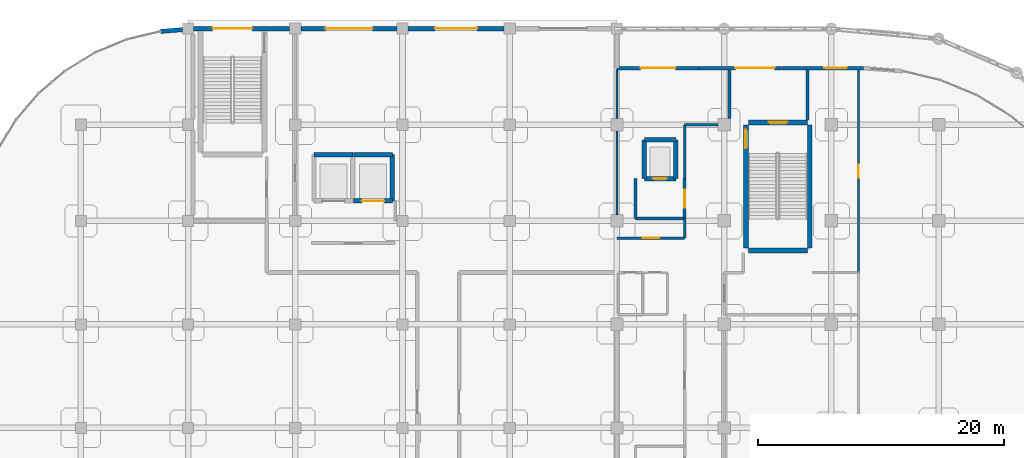
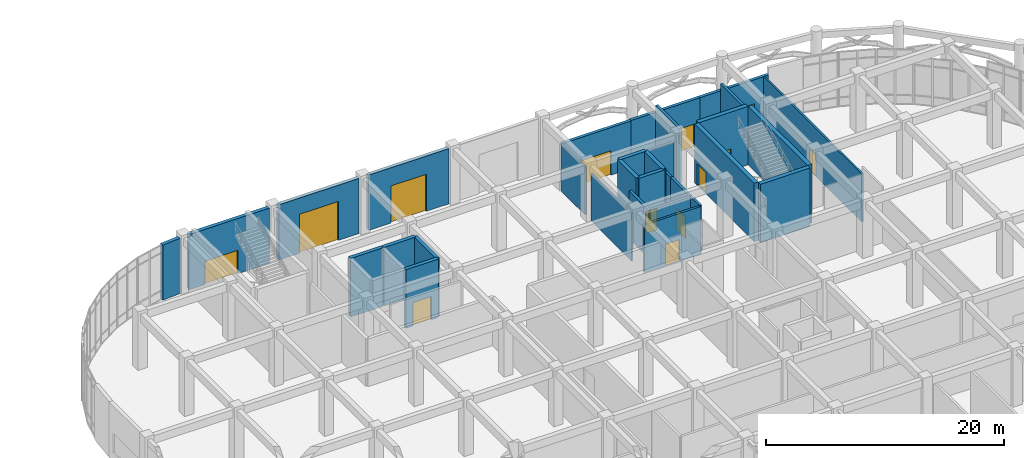
# One storey, part 68 of 82: 31 walls, 12 doors, 1 window, 13 openings.
"""IFC4 building model written with IfcOpenShell, lengths in metres."""

from ifc_helpers import new_model, si_unit, derived_unit, direction, frame, frame_2d, origin, place, context, subcontext, project, spatial, rectangle, extrude, material, layer, layer_set, type_object, element, fill, save


model = new_model("IFC4")

# Units and contexts
model_context = context("Model", 3, precision=1e-05, world=origin(), true_north=direction((0.0, 1.0)))
body_context = subcontext(model_context, "Body", "Model", "MODEL_VIEW")
ifc_project = project(units=[si_unit("LENGTHUNIT", "METRE"), si_unit("AREAUNIT", "SQUARE_METRE"), si_unit("VOLUMEUNIT", "CUBIC_METRE"), si_unit("PLANEANGLEUNIT", "RADIAN"), si_unit("MASSUNIT", "GRAM", prefix="KILO"), derived_unit("THERMALTRANSMITTANCEUNIT", [(si_unit("MASSUNIT", "GRAM", prefix="KILO"), 1), (si_unit("TIMEUNIT", "SECOND"), -3), (si_unit("THERMODYNAMICTEMPERATUREUNIT", "KELVIN"), -1)])], contexts=[model_context])

# Site, building, storey
site_placement = place(None, origin())
site = spatial("IfcSite", under=ifc_project, at=site_placement, CompositionType="ELEMENT")
building_placement = place(site_placement, origin())
building = spatial("IfcBuilding", under=site, at=building_placement, Name="Qinzheling Arcade Emporium", CompositionType="ELEMENT")
storey_placement = place(building_placement, origin())
storey = spatial("IfcBuildingStorey", under=building, at=storey_placement, Name="L01", CompositionType="ELEMENT", Elevation=0.0)

# Wall, opening, door
ifc_material_1 = material(Name="Double-stud acoustic gypsum board partition")
ifc_layer_1 = layer(ifc_material_1, 0.215087890625, Name="Double-stud acoustic gypsum board partition")
ifc_layer_set_1 = layer_set([ifc_layer_1], Name="Double-stud acoustic gypsum board partition")
wall_type_1 = type_object("IfcWallType", Name="Acoustic Corridor Partition Wall 215", PredefinedType="PARTITIONING", material=ifc_layer_set_1)
wall_1_placement = place(storey_placement, frame((104.39990234375, 97.60009765625, 0.0), z_axis=(0.0, 0.0, 1.0), x_axis=(1.0, 0.0, 0.0)))
wall_1 = element("IfcWall", 1, at=wall_1_placement, inside=storey, type_object=wall_type_1, Name="Interior Wall WL-L01-INT-0212", PredefinedType="PARTITIONING", context=body_context, shape_type="SweptSolid", body=[
    extrude(rectangle(XDim=5.5, YDim=0.215087890625, at=frame_2d((2.75, 0.0))), origin(), (0.0, 0.0, 1.0), 4.8798828125),
])
opening_1_placement = place(wall_1_placement, frame((2.074951171875, 0.0, 0.0)))
opening_1 = element("IfcOpeningElement", 2, at=opening_1_placement, cuts=wall_1, Name="Opening FD05", PredefinedType="OPENING", context=body_context, shape_type="SweptSolid", body=[
    extrude(rectangle(XDim=1.35009765625, YDim=2.199951171875, at=frame_2d((0.675048828125, 1.10009765625))), frame((0.0, 0.11767578125, 0.0), z_axis=(0.0, -1.0, 0.0), x_axis=(1.0, 0.0, 0.0)), (0.0, 0.0, 1.0), 0.235107421875),
])
ifc_material_2 = material(Name="Class B fire-rated stainless-clad door")
door_type_1 = type_object("IfcDoorType", Name="Kitchen Fire-Rated Service Door 1350x2200", OperationType="NOTDEFINED", PredefinedType="DOOR", material=ifc_material_2)
door_1_placement = place(opening_1_placement, origin())
door_1 = element("IfcDoor", 3, at=door_1_placement, inside=storey, type_object=door_type_1, Name="FD05 Interior Door DR-L01-INT-0072", OperationType="SINGLE_SWING_LEFT", OverallHeight=2.199951171875, OverallWidth=1.35009765625, PredefinedType="DOOR", context=body_context, shape_type="SweptSolid", body=[
    extrude(rectangle(XDim=1.35009765625, YDim=2.199951171875, at=frame_2d((0.675048828125, 1.10009765625))), frame((0.0, 0.02490234375, 0.0), z_axis=(0.0, -1.0, 0.0), x_axis=(1.0, 0.0, 0.0)), (0.0, 0.0, 1.0), 0.050048828125),
])
fill(opening_1, door_1)

# Walls
wall_2_placement = place(storey_placement, frame((109.89990234375, 97.60009765625, 0.0), z_axis=(0.0, 0.0, 1.0), x_axis=(0.0, 1.0, 0.0)))
element("IfcWall", 4, at=wall_2_placement, inside=storey, type_object=wall_type_1, Name="Interior Wall WL-L01-INT-0213", PredefinedType="PARTITIONING", context=body_context, shape_type="SweptSolid", body=[
    extrude(rectangle(XDim=1.599853515625, YDim=0.215087890625, at=frame_2d((0.7998046875, 0.0))), origin(), (0.0, 0.0, 1.0), 4.925048828125),
])
wall_3_placement = place(storey_placement, frame((109.89990234375, 102.419921875, 0.0), z_axis=(0.0, 0.0, 1.0), x_axis=(0.0, 1.0, 0.0)))
element("IfcWall", 5, at=wall_3_placement, inside=storey, type_object=wall_type_1, Name="Interior Wall WL-L01-INT-0214", PredefinedType="PARTITIONING", context=body_context, shape_type="SweptSolid", body=[
    extrude(rectangle(XDim=4.380126953125, YDim=0.215087890625, at=frame_2d((2.18994140625, 0.0))), origin(), (0.0, 0.0, 1.0), 4.925048828125),
])
wall_4_placement = place(storey_placement, frame((109.89990234375, 106.800048828125, 0.0), z_axis=(0.0, 0.0, 1.0), x_axis=(1.0, 0.0, 0.0)))
element("IfcWall", 6, at=wall_4_placement, inside=storey, type_object=wall_type_1, Name="Interior Wall WL-L01-INT-0215", PredefinedType="PARTITIONING", context=body_context, shape_type="SweptSolid", body=[
    extrude(rectangle(XDim=2.690185546875, YDim=0.215087890625, at=frame_2d((1.34521484375, 0.0))), origin(), (0.0, 0.0, 1.0), 4.925048828125),
])
ifc_material_3 = material(Name="Lightweight atelier partition")
ifc_layer_2 = layer(ifc_material_3, 0.14990234375, Name="Lightweight atelier partition")
ifc_layer_set_2 = layer_set([ifc_layer_2], Name="Lightweight atelier partition")
wall_type_2 = type_object("IfcWallType", Name="Atelier Partition Wall 150", PredefinedType="PARTITIONING", material=ifc_layer_set_2)
wall_5_placement = place(storey_placement, frame((104.39990234375, 111.25, 0.0), z_axis=(0.0, 0.0, 1.0), x_axis=(0.0, -1.0, 0.0)))
element("IfcWall", 7, at=wall_5_placement, inside=storey, type_object=wall_type_2, Name="Interior Wall WL-L01-INT-0256", PredefinedType="PARTITIONING", context=body_context, shape_type="SweptSolid", body=[
    extrude(rectangle(XDim=3.93994140625, YDim=0.14990234375, at=frame_2d((1.969970703125, 0.0))), origin(), (0.0, 0.0, 1.0), 4.8798828125),
])
wall_6_placement = place(storey_placement, frame((104.39990234375, 106.2900390625, 0.0), z_axis=(0.0, 0.0, 1.0), x_axis=(0.0, -1.0, 0.0)))
element("IfcWall", 8, at=wall_6_placement, inside=storey, type_object=wall_type_2, Name="Interior Wall WL-L01-INT-0257", PredefinedType="PARTITIONING", context=body_context, shape_type="SweptSolid", body=[
    extrude(rectangle(XDim=6.780029296875, YDim=0.14990234375, at=frame_2d((3.39013671875, 0.0))), origin(), (0.0, 0.0, 1.0), 4.8798828125),
])

# Wall, opening, door
ifc_material_4 = material(Name="Fire-rated double-stud gypsum and mineral wool wall")
ifc_layer_3 = layer(ifc_material_4, 0.2451171875, Name="Fire-rated double-stud gypsum and mineral wool wall")
ifc_layer_set_3 = layer_set([ifc_layer_3], Name="Fire-rated double-stud gypsum and mineral wool wall")
wall_type_3 = type_object("IfcWallType", Name="Firefighting Lobby Rated Wall 245", PredefinedType="STANDARD", material=ifc_layer_set_3)
wall_7_placement = place(storey_placement, frame((109.89990234375, 102.419921875, 0.0), z_axis=(0.0, 0.0, 1.0), x_axis=(0.0, -1.0, 0.0)))
wall_7 = element("IfcWall", 9, at=wall_7_placement, inside=storey, type_object=wall_type_3, Name="Interior Wall WL-L01-INT-0092", PredefinedType="STANDARD", context=body_context, shape_type="SweptSolid", body=[
    extrude(rectangle(XDim=3.219970703125, YDim=0.2451171875, at=frame_2d((1.60986328125, 0.0))), origin(), (0.0, 0.0, 1.0), 4.925048828125),
])
opening_2_placement = place(wall_7_placement, frame((0.885009765625, 0.0, 0.0)))
opening_2 = element("IfcOpeningElement", 10, at=opening_2_placement, cuts=wall_7, Name="Opening FD02", PredefinedType="OPENING", context=body_context, shape_type="SweptSolid", body=[
    extrude(rectangle(XDim=1.449951171875, YDim=2.199951171875, at=frame_2d((0.72509765625, 1.10009765625))), frame((0.0, 0.132568359375, 0.0), z_axis=(0.0, -1.0, 0.0), x_axis=(1.0, 0.0, 0.0)), (0.0, 0.0, 1.0), 0.26513671875),
])
ifc_material_5 = material(Name="Class A fire-rated steel double door", Category="steel")
door_type_2 = type_object("IfcDoorType", Name="Firefighting Lobby Fire Door 1450x2200", OperationType="DOUBLE_DOOR_SINGLE_SWING", PredefinedType="DOOR", material=ifc_material_5)
door_2_placement = place(opening_2_placement, origin())
door_2 = element("IfcDoor", 11, at=door_2_placement, inside=storey, type_object=door_type_2, Name="FD02 Interior Door DR-L01-INT-0027", OperationType="DOUBLE_DOOR_SINGLE_SWING", OverallHeight=2.199951171875, OverallWidth=1.449951171875, PredefinedType="DOOR", context=body_context, shape_type="SweptSolid", body=[
    extrude(rectangle(XDim=1.449951171875, YDim=2.199951171875, at=frame_2d((0.72509765625, 1.10009765625))), frame((0.0, 0.02490234375, 0.0), z_axis=(0.0, -1.0, 0.0), x_axis=(1.0, 0.0, 0.0)), (0.0, 0.0, 1.0), 0.050048828125),
])
fill(opening_2, door_2)

# Walls
wall_8_placement = place(storey_placement, frame((109.89990234375, 99.199951171875, 0.0), z_axis=(0.0, 0.0, 1.0), x_axis=(-1.0, 0.0, 0.0)))
element("IfcWall", 12, at=wall_8_placement, inside=storey, type_object=wall_type_3, Name="Interior Wall WL-L01-INT-0093", PredefinedType="STANDARD", context=body_context, shape_type="SweptSolid", body=[
    extrude(rectangle(XDim=4.0, YDim=0.2451171875, at=frame_2d((2.0, 0.0))), origin(), (0.0, 0.0, 1.0), 4.925048828125),
])
wall_9_placement = place(storey_placement, frame((105.89990234375, 99.199951171875, 0.0), z_axis=(0.0, 0.0, 1.0), x_axis=(0.0, 1.0, 0.0)))
element("IfcWall", 13, at=wall_9_placement, inside=storey, type_object=wall_type_3, Name="Interior Wall WL-L01-INT-0094", PredefinedType="STANDARD", context=body_context, shape_type="SweptSolid", body=[
    extrude(rectangle(XDim=3.219970703125, YDim=0.2451171875, at=frame_2d((1.60986328125, 0.0))), origin(), (0.0, 0.0, 1.0), 4.925048828125),
])
wall_10_placement = place(storey_placement, frame((119.844970703125, 111.25, 0.0), z_axis=(0.0, 0.0, 1.0), x_axis=(0.0, -1.0, 0.0)))
element("IfcWall", 14, at=wall_10_placement, inside=storey, type_object=wall_type_3, Name="Interior Wall WL-L01-INT-0110", PredefinedType="STANDARD", context=body_context, shape_type="SweptSolid", body=[
    extrude(rectangle(XDim=4.044921875, YDim=0.2451171875, at=frame_2d((2.0224609375, 0.0))), origin(), (0.0, 0.0, 1.0), 5.659912109375),
])
wall_11_placement = place(storey_placement, frame((113.550048828125, 107.31005859375, 0.0), z_axis=(0.0, 0.0, 1.0), x_axis=(0.0, 1.0, 0.0)))
element("IfcWall", 15, at=wall_11_placement, inside=storey, type_object=wall_type_3, Name="Interior Wall WL-L01-INT-0111", PredefinedType="STANDARD", context=body_context, shape_type="SweptSolid", body=[
    extrude(rectangle(XDim=3.93994140625, YDim=0.2451171875, at=frame_2d((1.969970703125, 0.0))), origin(), (0.0, 0.0, 1.0), 5.659912109375),
])
ifc_material_6 = material(Name="Fluted granite ashlar on Concrete C40", Category="masonry")
ifc_layer_4 = layer(ifc_material_6, 0.35009765625, Name="Fluted granite ashlar on Concrete C40", Category="masonry")
ifc_layer_set_4 = layer_set([ifc_layer_4], Name="Fluted granite ashlar on Concrete C40")
wall_type_4 = type_object("IfcWallType", Name="Fluted Granite Logistics Wall 350", PredefinedType="STANDARD", material=ifc_layer_set_4)
wall_12_placement = place(storey_placement, frame((67.384033203125, 114.3779296875, 0.0), z_axis=(0.0, 0.0, 1.0), x_axis=(0.996920266217, 0.078421826076, 0.0)))
element("IfcWall", 16, at=wall_12_placement, inside=storey, type_object=wall_type_4, Name="Exterior Wall WL-L01-EW-0054", PredefinedType="STANDARD", context=body_context, shape_type="SweptSolid", body=[
    extrude(rectangle(XDim=1.7744140625, YDim=0.35009765625, at=frame_2d((0.88720703125, 0.0))), origin(), (0.0, 0.0, 1.0), 5.659912109375),
])

# Wall, opening, door
wall_13_placement = place(storey_placement, frame((70.052001953125, 114.60009765625, 0.0), z_axis=(0.0, 0.0, 1.0), x_axis=(1.0, 0.0, 0.0)))
wall_13 = element("IfcWall", 17, at=wall_13_placement, inside=storey, type_object=wall_type_4, Name="Exterior Wall WL-L01-EW-0055", PredefinedType="STANDARD", context=body_context, shape_type="SweptSolid", body=[
    extrude(rectangle(XDim=7.7958984375, YDim=0.35009765625, at=frame_2d((3.89794921875, 0.0))), origin(), (0.0, 0.0, 1.0), 5.659912109375),
])
opening_3_placement = place(wall_13_placement, frame((1.54296875, 0.0, 0.0)))
opening_3 = element("IfcOpeningElement", 18, at=opening_3_placement, cuts=wall_13, Name="Opening ED01", PredefinedType="OPENING", context=body_context, shape_type="SweptSolid", body=[
    extrude(rectangle(XDim=3.199951171875, YDim=2.39990234375, at=frame_2d((1.60009765625, 1.199951171875))), frame((0.0, 0.18505859375, 0.0), z_axis=(0.0, -1.0, 0.0), x_axis=(1.0, 0.0, 0.0)), (0.0, 0.0, 1.0), 0.3701171875),
])
ifc_material_7 = material(Name="Fire-rated steel panic exit door", Category="steel")
door_type_3 = type_object("IfcDoorType", Name="Stairwell Street Final Exit Door 3200x2400", OperationType="DOUBLE_DOOR_SINGLE_SWING", PredefinedType="USERDEFINED", material=ifc_material_7)
door_3_placement = place(opening_3_placement, origin())
door_3 = element("IfcDoor", 19, at=door_3_placement, inside=storey, type_object=door_type_3, Name="ED01 Exterior Door DR-L01-EXT-024", ObjectType="ESCAPE_DOOR", OperationType="DOUBLE_DOOR_SINGLE_SWING", OverallHeight=2.39990234375, OverallWidth=3.199951171875, PredefinedType="USERDEFINED", context=body_context, shape_type="SweptSolid", body=[
    extrude(rectangle(XDim=3.199951171875, YDim=2.39990234375, at=frame_2d((1.60009765625, 1.199951171875))), frame((0.0, 0.02490234375, 0.0), z_axis=(0.0, -1.0, 0.0), x_axis=(1.0, 0.0, 0.0)), (0.0, 0.0, 1.0), 0.050048828125),
])
fill(opening_3, door_3)

wall_14_placement = place(storey_placement, frame((78.751953125, 114.60009765625, 0.0), z_axis=(0.0, 0.0, 1.0), x_axis=(1.0, 0.0, 0.0)))
wall_14 = element("IfcWall", 20, at=wall_14_placement, inside=storey, type_object=wall_type_4, Name="Exterior Wall WL-L01-EW-0056", PredefinedType="STANDARD", context=body_context, shape_type="SweptSolid", body=[
    extrude(rectangle(XDim=7.796142578125, YDim=0.35009765625, at=frame_2d((3.89794921875, 0.0))), origin(), (0.0, 0.0, 1.0), 5.659912109375),
])
opening_4_placement = place(wall_14_placement, frame((1.998046875, 0.0, 0.0)))
opening_4 = element("IfcOpeningElement", 21, at=opening_4_placement, cuts=wall_14, Name="Opening DG01", PredefinedType="OPENING", context=body_context, shape_type="SweptSolid", body=[
    extrude(rectangle(XDim=3.800048828125, YDim=4.0, at=frame_2d((1.89990234375, 2.0))), frame((0.0, 0.18505859375, 0.0), z_axis=(0.0, -1.0, 0.0), x_axis=(1.0, 0.0, 0.0)), (0.0, 0.0, 1.0), 0.3701171875),
])
ifc_material_8 = material(Name="Insulated galvanised steel roller shutter", Category="steel")
door_type_4 = type_object("IfcDoorType", Name="North Loading Dock Heavy Roller Gate 3800x4000", OperationType="ROLLINGUP", PredefinedType="GATE", material=ifc_material_8)
door_4_placement = place(opening_4_placement, origin())
door_4 = element("IfcDoor", 22, at=door_4_placement, inside=storey, type_object=door_type_4, Name="DG01 Exterior Door DR-L01-EXT-025", OperationType="ROLLINGUP", OverallHeight=4.0, OverallWidth=3.800048828125, PredefinedType="GATE", context=body_context, shape_type="SweptSolid", body=[
    extrude(rectangle(XDim=3.800048828125, YDim=4.0, at=frame_2d((1.89990234375, 2.0))), frame((0.0, 0.02490234375, 0.0), z_axis=(0.0, -1.0, 0.0), x_axis=(1.0, 0.0, 0.0)), (0.0, 0.0, 1.0), 0.050048828125),
])
fill(opening_4, door_4)

wall_15_placement = place(storey_placement, frame((87.451904296875, 114.60009765625, 0.0), z_axis=(0.0, 0.0, 1.0), x_axis=(1.0, 0.0, 0.0)))
wall_15 = element("IfcWall", 23, at=wall_15_placement, inside=storey, type_object=wall_type_4, Name="Exterior Wall WL-L01-EW-0057", PredefinedType="STANDARD", context=body_context, shape_type="SweptSolid", body=[
    extrude(rectangle(XDim=7.796142578125, YDim=0.35009765625, at=frame_2d((3.89794921875, 0.0))), origin(), (0.0, 0.0, 1.0), 5.659912109375),
])
opening_5_placement = place(wall_15_placement, frame((2.197998046875, 0.0, 0.0)))
opening_5 = element("IfcOpeningElement", 24, at=opening_5_placement, cuts=wall_15, Name="Opening DG02", PredefinedType="OPENING", context=body_context, shape_type="SweptSolid", body=[
    extrude(rectangle(XDim=3.39990234375, YDim=3.800048828125, at=frame_2d((1.699951171875, 1.89990234375))), frame((0.0, 0.18505859375, 0.0), z_axis=(0.0, -1.0, 0.0), x_axis=(1.0, 0.0, 0.0)), (0.0, 0.0, 1.0), 0.3701171875),
])
door_type_5 = type_object("IfcDoorType", Name="Cold-Chain Receiving Dock Gate 3400x3800", OperationType="ROLLINGUP", PredefinedType="GATE", material=ifc_material_8)
door_5_placement = place(opening_5_placement, origin())
door_5 = element("IfcDoor", 25, at=door_5_placement, inside=storey, type_object=door_type_5, Name="DG02 Exterior Door DR-L01-EXT-026", OperationType="ROLLINGUP", OverallHeight=3.800048828125, OverallWidth=3.39990234375, PredefinedType="GATE", context=body_context, shape_type="SweptSolid", body=[
    extrude(rectangle(XDim=3.39990234375, YDim=3.800048828125, at=frame_2d((1.699951171875, 1.89990234375))), frame((0.0, 0.02490234375, 0.0), z_axis=(0.0, -1.0, 0.0), x_axis=(1.0, 0.0, 0.0)), (0.0, 0.0, 1.0), 0.050048828125),
])
fill(opening_5, door_5)

ifc_material_9 = material(Name="Buff glazed terracotta insulated wall", Category="masonry")
ifc_layer_5 = layer(ifc_material_9, 0.2900390625, Name="Buff glazed terracotta insulated wall", Category="masonry")
ifc_layer_set_5 = layer_set([ifc_layer_5], Name="Buff glazed terracotta insulated wall")
wall_type_5 = type_object("IfcWallType", Name="Office Bar Terracotta Wall 290", PredefinedType="STANDARD", material=ifc_layer_set_5)
wall_16_placement = place(storey_placement, frame((104.39990234375, 111.39990234375, 0.0), z_axis=(0.0, 0.0, 1.0), x_axis=(1.0, 0.0, 0.0)))
wall_16 = element("IfcWall", 26, at=wall_16_placement, inside=storey, type_object=wall_type_5, Name="Exterior Wall WL-L01-EW-0060", PredefinedType="STANDARD", context=body_context, shape_type="SweptSolid", body=[
    extrude(rectangle(XDim=6.6650390625, YDim=0.2900390625, at=frame_2d((3.33251953125, 0.0))), origin(), (0.0, 0.0, 1.0), 4.875),
])
opening_6_placement = place(wall_16_placement, frame((1.931884765625, 0.0, 0.0)))
opening_6 = element("IfcOpeningElement", 27, at=opening_6_placement, cuts=wall_16, Name="Opening E04", PredefinedType="OPENING", context=body_context, shape_type="SweptSolid", body=[
    extrude(rectangle(XDim=2.800048828125, YDim=2.5, at=frame_2d((1.39990234375, 1.25))), frame((0.0, 0.155029296875, 0.0), z_axis=(0.0, -1.0, 0.0), x_axis=(1.0, 0.0, 0.0)), (0.0, 0.0, 1.0), 0.31005859375),
])
ifc_material_10 = material(Name="Anodised aluminium and tempered glass", Category="aluminium")
door_type_6 = type_object("IfcDoorType", Name="Food Hall Court Entrance Door 2800x2500", OperationType="DOUBLE_DOOR_SINGLE_SWING", PredefinedType="DOOR", material=ifc_material_10)
door_6_placement = place(opening_6_placement, origin())
door_6 = element("IfcDoor", 28, at=door_6_placement, inside=storey, type_object=door_type_6, Name="E04 Exterior Door DR-L01-EXT-028", OperationType="DOUBLE_DOOR_SINGLE_SWING", OverallHeight=2.5, OverallWidth=2.800048828125, PredefinedType="DOOR", context=body_context, shape_type="SweptSolid", body=[
    extrude(rectangle(XDim=2.800048828125, YDim=2.5, at=frame_2d((1.39990234375, 1.25))), frame((0.0, 0.02490234375, 0.0), z_axis=(0.0, -1.0, 0.0), x_axis=(1.0, 0.0, 0.0)), (0.0, 0.0, 1.0), 0.050048828125),
])
fill(opening_6, door_6)

wall_17_placement = place(storey_placement, frame((111.069091796875, 111.39990234375, 0.0), z_axis=(0.0, 0.0, 1.0), x_axis=(1.0, 0.0, 0.0)))
wall_17 = element("IfcWall", 29, at=wall_17_placement, inside=storey, type_object=wall_type_5, Name="Exterior Wall WL-L01-EW-0061", PredefinedType="STANDARD", context=body_context, shape_type="SweptSolid", body=[
    extrude(rectangle(XDim=6.661865234375, YDim=0.2900390625, at=frame_2d((3.3310546875, 0.0))), origin(), (0.0, 0.0, 1.0), 4.919921875),
])
opening_7_placement = place(wall_17_placement, frame((2.930908203125, 0.0, 0.0)))
opening_7 = element("IfcOpeningElement", 30, at=opening_7_placement, cuts=wall_17, Name="Opening ED01", PredefinedType="OPENING", context=body_context, shape_type="SweptSolid", body=[
    extrude(rectangle(XDim=3.199951171875, YDim=2.39990234375, at=frame_2d((1.60009765625, 1.199951171875))), frame((0.0, 0.155029296875, 0.0), z_axis=(0.0, -1.0, 0.0), x_axis=(1.0, 0.0, 0.0)), (0.0, 0.0, 1.0), 0.31005859375),
])
door_7_placement = place(opening_7_placement, origin())
door_7 = element("IfcDoor", 31, at=door_7_placement, inside=storey, type_object=door_type_3, Name="ED01 Exterior Door DR-L01-EXT-029", ObjectType="ESCAPE_DOOR", OperationType="DOUBLE_DOOR_SINGLE_SWING", OverallHeight=2.39990234375, OverallWidth=3.199951171875, PredefinedType="USERDEFINED", context=body_context, shape_type="SweptSolid", body=[
    extrude(rectangle(XDim=3.199951171875, YDim=2.39990234375, at=frame_2d((1.60009765625, 1.199951171875))), frame((0.0, 0.02490234375, 0.0), z_axis=(0.0, -1.0, 0.0), x_axis=(1.0, 0.0, 0.0)), (0.0, 0.0, 1.0), 0.050048828125),
])
fill(opening_7, door_7)

# Wall, opening, window
wall_18_placement = place(storey_placement, frame((117.735107421875, 111.39990234375, 0.0), z_axis=(0.0, 0.0, 1.0), x_axis=(1.0, 0.0, 0.0)))
wall_18 = element("IfcWall", 32, at=wall_18_placement, inside=storey, type_object=wall_type_5, Name="Exterior Wall WL-L01-EW-0062", PredefinedType="STANDARD", context=body_context, shape_type="SweptSolid", body=[
    extrude(rectangle(XDim=6.664794921875, YDim=0.2900390625, at=frame_2d((3.33251953125, 0.0))), origin(), (0.0, 0.0, 1.0), 4.919921875),
])
opening_8_placement = place(wall_18_placement, frame((3.492919921875, 0.0, 0.85009765625)))
opening_8 = element("IfcOpeningElement", 33, at=opening_8_placement, cuts=wall_18, Name="Opening WN62", PredefinedType="OPENING", context=body_context, shape_type="SweptSolid", body=[
    extrude(rectangle(XDim=1.800048828125, YDim=1.60009765625, at=frame_2d((0.89990234375, 0.800048828125))), frame((0.0, 0.155029296875, 0.0), z_axis=(0.0, -1.0, 0.0), x_axis=(1.0, 0.0, 0.0)), (0.0, 0.0, 1.0), 0.31005859375),
])
ifc_material_11 = material(Name="Thermally broken aluminium frame with solar-control double glazing", Category="aluminium")
window_type = type_object("IfcWindowType", Name="Chicago Tripartite Window 1800x1600", PartitioningType="TRIPLE_PANEL_VERTICAL", PredefinedType="WINDOW", material=ifc_material_11)
window_placement = place(opening_8_placement, origin())
window = element("IfcWindow", 34, at=window_placement, inside=storey, type_object=window_type, Name="WN62 Window WN-L01-0010", OverallHeight=1.60009765625, OverallWidth=1.800048828125, PartitioningType="TRIPLE_PANEL_VERTICAL", PredefinedType="WINDOW", context=body_context, shape_type="SweptSolid", body=[
    extrude(rectangle(XDim=1.800048828125, YDim=1.60009765625, at=frame_2d((0.89990234375, 0.800048828125))), frame((0.0, 0.030029296875, 0.0), z_axis=(0.0, -1.0, 0.0), x_axis=(1.0, 0.0, 0.0)), (0.0, 0.0, 1.0), 0.06005859375),
])
fill(opening_8, window)

# Wall
ifc_material_12 = material(Name="Concrete C40", Category="concrete")
ifc_layer_6 = layer(ifc_material_12, 0.35009765625, Name="Concrete C40", Category="concrete")
ifc_layer_set_6 = layer_set([ifc_layer_6], Name="Concrete C40")
wall_type_6 = type_object("IfcWallType", Name="RC Lift Shaft Shear Wall 350 C40", PredefinedType="SHEAR", material=ifc_layer_set_6)
wall_19_placement = place(storey_placement, frame((106.625, 105.574951171875, 0.0), z_axis=(0.0, 0.0, 1.0), x_axis=(1.0, 0.0, 0.0)))
element("IfcWall", 35, at=wall_19_placement, inside=storey, type_object=wall_type_6, Name="Lift Shaft Wall WL-L01-LFT-LF03-N", PredefinedType="SHEAR", context=body_context, shape_type="SweptSolid", body=[
    extrude(rectangle(XDim=2.550048828125, YDim=0.35009765625, at=frame_2d((1.27490234375, 0.0))), origin(), (0.0, 0.0, 1.0), 6.0),
])

# Wall, opening, door
wall_20_placement = place(storey_placement, frame((109.175048828125, 102.425048828125, 0.0), z_axis=(0.0, 0.0, 1.0), x_axis=(-1.0, 0.0, 0.0)))
wall_20 = element("IfcWall", 36, at=wall_20_placement, inside=storey, type_object=wall_type_6, Name="Lift Shaft Wall WL-L01-LFT-LF03-S", PredefinedType="SHEAR", context=body_context, shape_type="SweptSolid", body=[
    extrude(rectangle(XDim=2.550048828125, YDim=0.35009765625, at=frame_2d((1.27490234375, 0.0))), origin(), (0.0, 0.0, 1.0), 6.0),
])
opening_9_placement = place(wall_20_placement, frame((0.72509765625, 0.0, 0.0)))
opening_9 = element("IfcOpeningElement", 37, at=opening_9_placement, cuts=wall_20, Name="Opening LD01", PredefinedType="OPENING", context=body_context, shape_type="SweptSolid", body=[
    extrude(rectangle(XDim=1.10009765625, YDim=2.199951171875, at=frame_2d((0.550048828125, 1.10009765625))), frame((0.0, 0.18505859375, 0.0), z_axis=(0.0, -1.0, 0.0), x_axis=(1.0, 0.0, 0.0)), (0.0, 0.0, 1.0), 0.3701171875),
])
ifc_material_13 = material(Name="Fire-rated stainless steel sliding lift door", Category="steel")
door_type_7 = type_object("IfcDoorType", Name="Firefighting Lift Sliding Landing Door 1100x2200", OperationType="DOUBLE_DOOR_SLIDING", PredefinedType="DOOR", material=ifc_material_13)
door_8_placement = place(opening_9_placement, origin())
door_8 = element("IfcDoor", 38, at=door_8_placement, inside=storey, type_object=door_type_7, Name="LD01 Lift Landing Door LF03 L01", OperationType="DOUBLE_DOOR_SLIDING", OverallHeight=2.199951171875, OverallWidth=1.10009765625, PredefinedType="DOOR", context=body_context, shape_type="SweptSolid", body=[
    extrude(rectangle(XDim=1.10009765625, YDim=2.199951171875, at=frame_2d((0.550048828125, 1.10009765625))), frame((0.0, 0.02490234375, 0.0), z_axis=(0.0, -1.0, 0.0), x_axis=(1.0, 0.0, 0.0)), (0.0, 0.0, 1.0), 0.050048828125),
])
fill(opening_9, door_8)

# Walls
for number, where, z_axis, x_axis, name in (
    (39, (106.625, 102.425048828125, 0.0), (0.0, 0.0, 1.0), (0.0, 1.0, 0.0), "Lift Shaft Wall WL-L01-LFT-LF03-W"),
    (40, (109.175048828125, 105.574951171875, 0.0), (0.0, 0.0, 1.0), (0.0, -1.0, 0.0), "Lift Shaft Wall WL-L01-LFT-LF03-E"),
):
    element("IfcWall", number, at=place(storey_placement, frame(where, z_axis=z_axis, x_axis=x_axis)), inside=storey, type_object=wall_type_6, Name=name, PredefinedType="SHEAR", context=body_context, shape_type="SweptSolid", body=[
        extrude(rectangle(XDim=3.14990234375, YDim=0.35009765625, at=frame_2d((1.574951171875, 0.0))), origin(), (0.0, 0.0, 1.0), 6.0),
    ])
for number, where, z_axis, x_axis, name in (
    (41, (79.824951171875, 104.375, 0.0), (0.0, 0.0, 1.0), (1.0, 0.0, 0.0), "Lift Shaft Wall WL-L01-LFT-LG01-N"),
    (42, (83.02490234375, 104.375, 0.0), (0.0, 0.0, 1.0), (1.0, 0.0, 0.0), "Lift Shaft Wall WL-L01-LFT-LG02-N"),
):
    element("IfcWall", number, at=place(storey_placement, frame(where, z_axis=z_axis, x_axis=x_axis)), inside=storey, type_object=wall_type_6, Name=name, PredefinedType="SHEAR", context=body_context, shape_type="SweptSolid", body=[
        extrude(rectangle(XDim=3.150146484375, YDim=0.35009765625, at=frame_2d((1.5751953125, 0.0))), origin(), (0.0, 0.0, 1.0), 6.0),
    ])

# Wall, opening, door
wall_21_placement = place(storey_placement, frame((86.175048828125, 100.625, 0.0), z_axis=(0.0, 0.0, 1.0), x_axis=(-1.0, 0.0, 0.0)))
wall_21 = element("IfcWall", 43, at=wall_21_placement, inside=storey, type_object=wall_type_6, Name="Lift Shaft Wall WL-L01-LFT-LG02-S", PredefinedType="SHEAR", context=body_context, shape_type="SweptSolid", body=[
    extrude(rectangle(XDim=3.150146484375, YDim=0.35009765625, at=frame_2d((1.5751953125, 0.0))), origin(), (0.0, 0.0, 1.0), 6.0),
])
opening_10_placement = place(wall_21_placement, frame((0.675048828125, 0.0, 0.0)))
opening_10 = element("IfcOpeningElement", 44, at=opening_10_placement, cuts=wall_21, Name="Opening LD03", PredefinedType="OPENING", context=body_context, shape_type="SweptSolid", body=[
    extrude(rectangle(XDim=1.800048828125, YDim=2.39990234375, at=frame_2d((0.89990234375, 1.199951171875))), frame((0.0, 0.18505859375, 0.0), z_axis=(0.0, -1.0, 0.0), x_axis=(1.0, 0.0, 0.0)), (0.0, 0.0, 1.0), 0.3701171875),
])
ifc_material_14 = material(Name="Heavy-duty galvanised steel sliding freight lift door", Category="steel")
door_type_8 = type_object("IfcDoorType", Name="Goods Lift Bi-Parting Landing Door 1800x2400", OperationType="DOUBLE_DOOR_SLIDING", PredefinedType="DOOR", material=ifc_material_14)
door_9_placement = place(opening_10_placement, origin())
door_9 = element("IfcDoor", 45, at=door_9_placement, inside=storey, type_object=door_type_8, Name="LD03 Lift Landing Door LG02 L01", OperationType="DOUBLE_DOOR_SLIDING", OverallHeight=2.39990234375, OverallWidth=1.800048828125, PredefinedType="DOOR", context=body_context, shape_type="SweptSolid", body=[
    extrude(rectangle(XDim=1.800048828125, YDim=2.39990234375, at=frame_2d((0.89990234375, 1.199951171875))), frame((0.0, 0.02490234375, 0.0), z_axis=(0.0, -1.0, 0.0), x_axis=(1.0, 0.0, 0.0)), (0.0, 0.0, 1.0), 0.050048828125),
])
fill(opening_10, door_9)

# Wall
wall_22_placement = place(storey_placement, frame((86.175048828125, 104.375, 0.0), z_axis=(0.0, 0.0, 1.0), x_axis=(0.0, -1.0, 0.0)))
element("IfcWall", 46, at=wall_22_placement, inside=storey, type_object=wall_type_6, Name="Lift Shaft Wall WL-L01-LFT-LG02-E", PredefinedType="SHEAR", context=body_context, shape_type="SweptSolid", body=[
    extrude(rectangle(XDim=3.75, YDim=0.35009765625, at=frame_2d((1.875, 0.0))), origin(), (0.0, 0.0, 1.0), 6.0),
])

# Wall, opening, door
ifc_material_15 = material(Name="Concrete C50", Category="concrete")
ifc_layer_7 = layer(ifc_material_15, 0.39990234375, Name="Concrete C50", Category="concrete")
ifc_layer_set_7 = layer_set([ifc_layer_7], Name="Concrete C50")
wall_type_7 = type_object("IfcWallType", Name="RC Stair Core Shear Wall 400 C50", PredefinedType="SHEAR", material=ifc_layer_set_7)
wall_23_placement = place(storey_placement, frame((114.85498046875, 96.800048828125, 0.0), z_axis=(0.0, 0.0, 1.0), x_axis=(0.0, 1.0, 0.0)))
wall_23 = element("IfcWall", 47, at=wall_23_placement, inside=storey, type_object=wall_type_7, Name="Stair Core Wall WL-L01-ST08-WEST", PredefinedType="SHEAR", context=body_context, shape_type="SweptSolid", body=[
    extrude(rectangle(XDim=10.0, YDim=0.39990234375, at=frame_2d((5.0, 0.0))), origin(), (0.0, 0.0, 1.0), 6.0),
])
opening_11_placement = place(wall_23_placement, frame((8.090087890625, 0.0, 0.0)))
opening_11 = element("IfcOpeningElement", 48, at=opening_11_placement, cuts=wall_23, Name="Opening FD01", PredefinedType="OPENING", context=body_context, shape_type="SweptSolid", body=[
    extrude(rectangle(XDim=1.5, YDim=2.199951171875, at=frame_2d((0.75, 1.10009765625))), frame((0.0, 0.2099609375, 0.0), z_axis=(0.0, -1.0, 0.0), x_axis=(1.0, 0.0, 0.0)), (0.0, 0.0, 1.0), 0.419921875),
])
door_type_9 = type_object("IfcDoorType", Name="Stairwell Smoke-Proof Fire Door 1500x2200", OperationType="DOUBLE_DOOR_SINGLE_SWING", PredefinedType="DOOR", material=ifc_material_5)
door_10_placement = place(opening_11_placement, origin())
door_10 = element("IfcDoor", 49, at=door_10_placement, inside=storey, type_object=door_type_9, Name="FD01 Stairwell Fire Door DR-L01-ST08-FD", OperationType="DOUBLE_DOOR_SINGLE_SWING", OverallHeight=2.199951171875, OverallWidth=1.5, PredefinedType="DOOR", context=body_context, shape_type="SweptSolid", body=[
    extrude(rectangle(XDim=1.5, YDim=2.199951171875, at=frame_2d((0.75, 1.10009765625))), frame((0.0, 0.02490234375, 0.0), z_axis=(0.0, -1.0, 0.0), x_axis=(1.0, 0.0, 0.0)), (0.0, 0.0, 1.0), 0.050048828125),
])
fill(opening_11, door_10)

# Walls
wall_24_placement = place(storey_placement, frame((120.044921875, 106.800048828125, 0.0), z_axis=(0.0, 0.0, 1.0), x_axis=(0.0, -1.0, 0.0)))
element("IfcWall", 50, at=wall_24_placement, inside=storey, type_object=wall_type_7, Name="Stair Core Wall WL-L01-ST08-EAST", PredefinedType="SHEAR", context=body_context, shape_type="SweptSolid", body=[
    extrude(rectangle(XDim=10.0, YDim=0.39990234375, at=frame_2d((5.0, 0.0))), origin(), (0.0, 0.0, 1.0), 6.0),
])
wall_25_placement = place(storey_placement, frame((119.844970703125, 96.60009765625, 0.0), z_axis=(0.0, 0.0, 1.0), x_axis=(-1.0, 0.0, 0.0)))
element("IfcWall", 51, at=wall_25_placement, inside=storey, type_object=wall_type_7, Name="Stair Core Wall WL-L01-ST08-SOUTH", PredefinedType="SHEAR", context=body_context, shape_type="SweptSolid", body=[
    extrude(rectangle(XDim=4.7900390625, YDim=0.39990234375, at=frame_2d((2.39501953125, 0.0))), origin(), (0.0, 0.0, 1.0), 6.0),
])

# Wall, opening, door
wall_26_placement = place(storey_placement, frame((115.054931640625, 107.0, 0.0), z_axis=(0.0, 0.0, 1.0), x_axis=(1.0, 0.0, 0.0)))
wall_26 = element("IfcWall", 52, at=wall_26_placement, inside=storey, type_object=wall_type_7, Name="Stair Core Wall WL-L01-ST08-NORTH", PredefinedType="SHEAR", context=body_context, shape_type="SweptSolid", body=[
    extrude(rectangle(XDim=4.7900390625, YDim=0.39990234375, at=frame_2d((2.39501953125, 0.0))), origin(), (0.0, 0.0, 1.0), 6.0),
])
opening_12_placement = place(wall_26_placement, frame((1.64501953125, 0.0, 0.0)))
opening_12 = element("IfcOpeningElement", 53, at=opening_12_placement, cuts=wall_26, Name="Opening FD01", PredefinedType="OPENING", context=body_context, shape_type="SweptSolid", body=[
    extrude(rectangle(XDim=1.5, YDim=2.199951171875, at=frame_2d((0.75, 1.10009765625))), frame((0.0, 0.2099609375, 0.0), z_axis=(0.0, -1.0, 0.0), x_axis=(1.0, 0.0, 0.0)), (0.0, 0.0, 1.0), 0.419921875),
])
door_11_placement = place(opening_12_placement, origin())
door_11 = element("IfcDoor", 54, at=door_11_placement, inside=storey, type_object=door_type_9, Name="FD01 Exit Passage Door DR-L01-ST08-EP02", OperationType="DOUBLE_DOOR_SINGLE_SWING", OverallHeight=2.199951171875, OverallWidth=1.5, PredefinedType="DOOR", context=body_context, shape_type="SweptSolid", body=[
    extrude(rectangle(XDim=1.5, YDim=2.199951171875, at=frame_2d((0.75, 1.10009765625))), frame((0.0, 0.02490234375, 0.0), z_axis=(0.0, -1.0, 0.0), x_axis=(1.0, 0.0, 0.0)), (0.0, 0.0, 1.0), 0.050048828125),
])
fill(opening_12, door_11)

ifc_material_16 = material(Name="Double-board salon partition")
ifc_layer_8 = layer(ifc_material_16, 0.175048828125, Name="Double-board salon partition")
ifc_layer_set_8 = layer_set([ifc_layer_8], Name="Double-board salon partition")
wall_type_8 = type_object("IfcWallType", Name="Salon Acoustic Partition Wall 175", PredefinedType="PARTITIONING", material=ifc_layer_set_8)
wall_27_placement = place(storey_placement, frame((124.0, 94.800048828125, 0.0), z_axis=(0.0, 0.0, 1.0), x_axis=(0.0, 1.0, 0.0)))
wall_27 = element("IfcWall", 55, at=wall_27_placement, inside=storey, type_object=wall_type_8, Name="Interior Wall WL-L01-INT-0265", PredefinedType="PARTITIONING", context=body_context, shape_type="SweptSolid", body=[
    extrude(rectangle(XDim=16.449951171875, YDim=0.175048828125, at=frame_2d((8.22509765625, 0.0))), origin(), (0.0, 0.0, 1.0), 4.925048828125),
])
opening_13_placement = place(wall_27_placement, frame((7.699951171875, 0.0, 0.0)))
opening_13 = element("IfcOpeningElement", 56, at=opening_13_placement, cuts=wall_27, Name="Opening D07", PredefinedType="OPENING", context=body_context, shape_type="SweptSolid", body=[
    extrude(rectangle(XDim=1.050048828125, YDim=2.199951171875, at=frame_2d((0.52490234375, 1.10009765625))), frame((0.0, 0.09765625, 0.0), z_axis=(0.0, -1.0, 0.0), x_axis=(1.0, 0.0, 0.0)), (0.0, 0.0, 1.0), 0.195068359375),
])
ifc_material_17 = material(Name="Vision-panel timber office door", Category="wood")
door_type_10 = type_object("IfcDoorType", Name="Buying Office Single Door 1050x2200", OperationType="NOTDEFINED", PredefinedType="DOOR", material=ifc_material_17)
door_12_placement = place(opening_13_placement, origin())
door_12 = element("IfcDoor", 57, at=door_12_placement, inside=storey, type_object=door_type_10, Name="D07 Interior Door DR-L01-INT-0070", OperationType="SINGLE_SWING_LEFT", OverallHeight=2.199951171875, OverallWidth=1.050048828125, PredefinedType="DOOR", context=body_context, shape_type="SweptSolid", body=[
    extrude(rectangle(XDim=1.050048828125, YDim=2.199951171875, at=frame_2d((0.52490234375, 1.10009765625))), frame((0.0, 0.02490234375, 0.0), z_axis=(0.0, -1.0, 0.0), x_axis=(1.0, 0.0, 0.0)), (0.0, 0.0, 1.0), 0.050048828125),
])
fill(opening_13, door_12)

save(model, "model.ifc")
